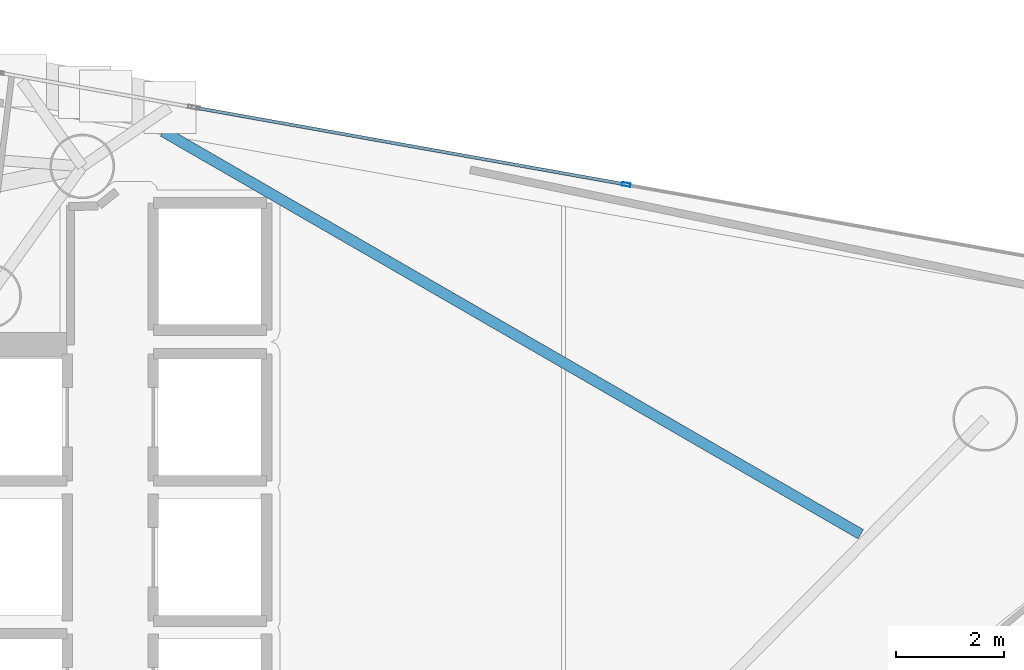
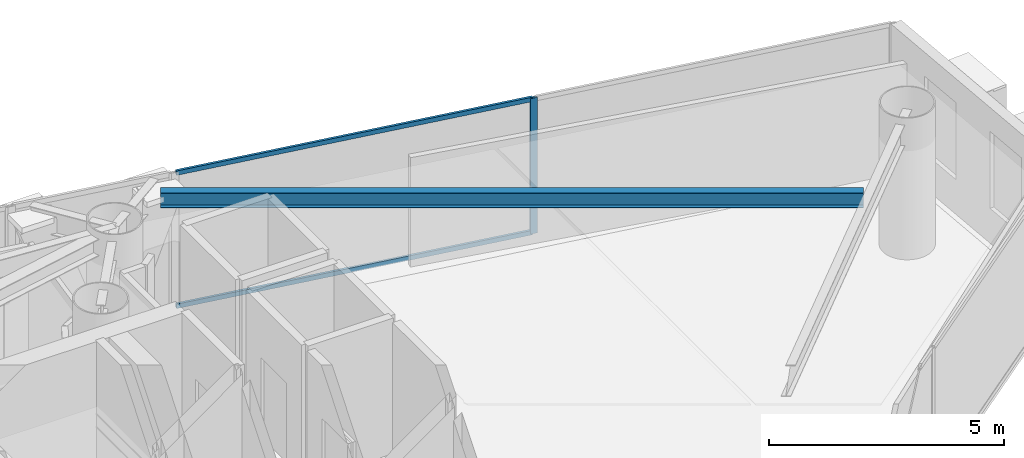
# One storey, part 13 of 22: 3 members, 1 beam, 1 element without a shape of its own.
"""IFC4 building model written with IfcOpenShell, lengths in metres."""

from ifc_helpers import new_model, si_unit, direction, frame, origin, origin_2d, place, context, subcontext, project, spatial, hollow_rectangle, i_section, extrude, material, layer, layer_set, material_profile, profile_set, type_object, element, aggregate, save


model = new_model("IFC4")

# Units and contexts
model_context = context("Model", 3, precision=1e-05, world=origin(), true_north=direction((0.0, 1.0)))
body_context = subcontext(model_context, "Body", "Model", "MODEL_VIEW")
ifc_project = project(units=[si_unit("LENGTHUNIT", "METRE"), si_unit("AREAUNIT", "SQUARE_METRE"), si_unit("VOLUMEUNIT", "CUBIC_METRE"), si_unit("PLANEANGLEUNIT", "RADIAN"), si_unit("MASSUNIT", "GRAM", prefix="KILO")], contexts=[model_context])

# Site, building, storey
site_placement = place(None, origin())
site = spatial("IfcSite", under=ifc_project, at=site_placement, CompositionType="ELEMENT")
building_placement = place(site_placement, origin())
building = spatial("IfcBuilding", under=site, at=building_placement, Name="Qianvela Tower", CompositionType="ELEMENT")
storey_placement = place(building_placement, frame((0.0, 0.0, 207.699951171875)))
storey = spatial("IfcBuildingStorey", under=building, at=storey_placement, Name="L53", CompositionType="ELEMENT", Elevation=207.699951171875)

# Beam
ifc_material_1 = material(Name="Steel Q355B", Category="steel")
ifc_material_profile_1 = material_profile(ifc_material_1, i_section(OverallWidth=0.199951171875, OverallDepth=0.39990234375, WebThickness=0.008056640625, FlangeThickness=0.012939453125, at=origin_2d()), Name="HN400x200x8x13")
ifc_profile_set_1 = profile_set([ifc_material_profile_1], Name="Steel Q355B")
beam_type = type_object("IfcBeamType", Name="BM-HN400-JOIST", PredefinedType="JOIST", material=ifc_profile_set_1)
beam_placement = place(storey_placement, frame((54.584716796875, 29.12890625, 3.318115234375), z_axis=(-0.866025175287, 0.500000395769, 0.0), x_axis=(-0.500000395769, -0.866025175287, 0.0)))
element("IfcBeam", 1, at=beam_placement, inside=storey, type_object=beam_type, Name="L53 Bay Secondary Floor Joist 1", PredefinedType="JOIST", context=body_context, shape_type="SweptSolid", body=[
    extrude(i_section(OverallWidth=0.199951171875, OverallDepth=0.39990234375, WebThickness=0.008056640625, FlangeThickness=0.012939453125, at=origin_2d()), origin(), (0.0, 0.0, 1.0), 14.95361328125),
])

# Curtain wall, members
ifc_material_2 = material(Name="Anodised Architectural Aluminium and Low-E Glass", Category="aluminium")
ifc_layer = layer(ifc_material_2, 0.159912109375)
ifc_layer_set = layer_set([ifc_layer], Name="Anodised Architectural Aluminium and Low-E Glass")
curtain_wall_type = type_object("IfcCurtainWallType", Name="CW-COLIV-Z56", PredefinedType="USERDEFINED", material=ifc_layer_set)
curtain_wall_placement = place(storey_placement, origin())
curtain_wall = element("IfcCurtainWall", 2, at=curtain_wall_placement, inside=storey, type_object=curtain_wall_type, Name="L53 CW-COLIV-Z56 Curtain Wall 02A", ObjectType="CURTAIN_WALL_SYSTEM", PredefinedType="USERDEFINED")
ifc_material_3 = material(Name="Anodised Architectural Aluminium 6063-T6", Category="aluminium")
ifc_material_profile_2 = material_profile(ifc_material_3, hollow_rectangle(XDim=0.06494140625, YDim=0.159912109375, WallThickness=0.0048828125, at=origin_2d()), Name="ALU-MULL-65x160")
ifc_profile_set_2 = profile_set([ifc_material_profile_2], Name="Anodised Architectural Aluminium 6063-T6")
member_type_1 = type_object("IfcMemberType", Name="CW-COLIV-Z56-MULL", PredefinedType="MULLION", material=ifc_profile_set_2)
member_1_placement = place(storey_placement, frame((50.22900390625, 35.621826171875, 0.0), z_axis=(0.0, 0.0, 1.0), x_axis=(-0.175588492248, -0.984463651635, 0.0)))
member_1 = element("IfcMember", 3, at=member_1_placement, type_object=member_type_1, Name="CW-5 mullion 2", PredefinedType="MULLION", context=body_context, shape_type="SweptSolid", body=[
    extrude(hollow_rectangle(XDim=0.06494140625, YDim=0.159912109375, WallThickness=0.0048828125, at=origin_2d()), origin(), (0.0, 0.0, 1.0), 3.52001953125),
])
ifc_material_4 = material(Name="Anodised Architectural Aluminium 6063-T6", Category="aluminium")
ifc_material_profile_3 = material_profile(ifc_material_4, hollow_rectangle(XDim=0.06005859375, YDim=0.114990234375, WallThickness=0.00390625, at=origin_2d()), Name="ALU-TRAN-60x115")
ifc_profile_set_3 = profile_set([ifc_material_profile_3], Name="Anodised Architectural Aluminium 6063-T6")
member_type_2 = type_object("IfcMemberType", Name="CW-COLIV-Z56-TRAN", PredefinedType="USERDEFINED", material=ifc_profile_set_3)
member_2_placement = place(storey_placement, frame((50.197021484375, 35.62744140625, 0.030029296875), z_axis=(-0.984460163754, 0.175608046457, 0.0), x_axis=(-0.175608046457, -0.984460163754, 0.0)))
member_2 = element("IfcMember", 4, at=member_2_placement, type_object=member_type_2, Name="CW-5 transom 2.1", ObjectType="TRANSOM", PredefinedType="USERDEFINED", context=body_context, shape_type="SweptSolid", body=[
    extrude(hollow_rectangle(XDim=0.06005859375, YDim=0.114990234375, WallThickness=0.00390625, at=origin_2d()), origin(), (0.0, 0.0, 1.0), 8.052490234375),
])
member_3_placement = place(storey_placement, frame((50.197021484375, 35.62744140625, 3.489990234375), z_axis=(-0.984460163754, 0.175608046457, 0.0), x_axis=(-0.175608046457, -0.984460163754, 0.0)))
member_3 = element("IfcMember", 5, at=member_3_placement, type_object=member_type_2, Name="CW-5 transom 2.2", ObjectType="TRANSOM", PredefinedType="USERDEFINED", context=body_context, shape_type="SweptSolid", body=[
    extrude(hollow_rectangle(XDim=0.06005859375, YDim=0.114990234375, WallThickness=0.00390625, at=origin_2d()), origin(), (0.0, 0.0, 1.0), 8.052490234375),
])
aggregate(curtain_wall, [member_1, member_2, member_3])

save(model, "model.ifc")
